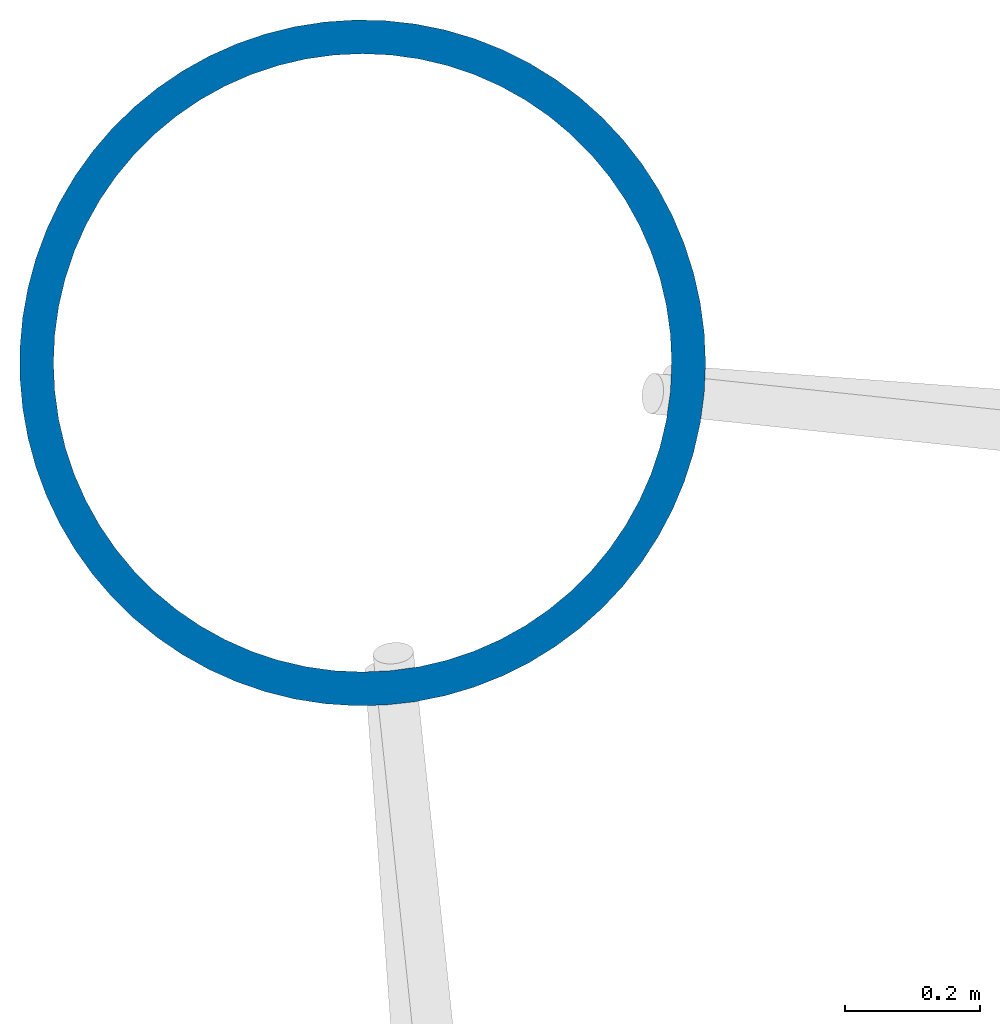
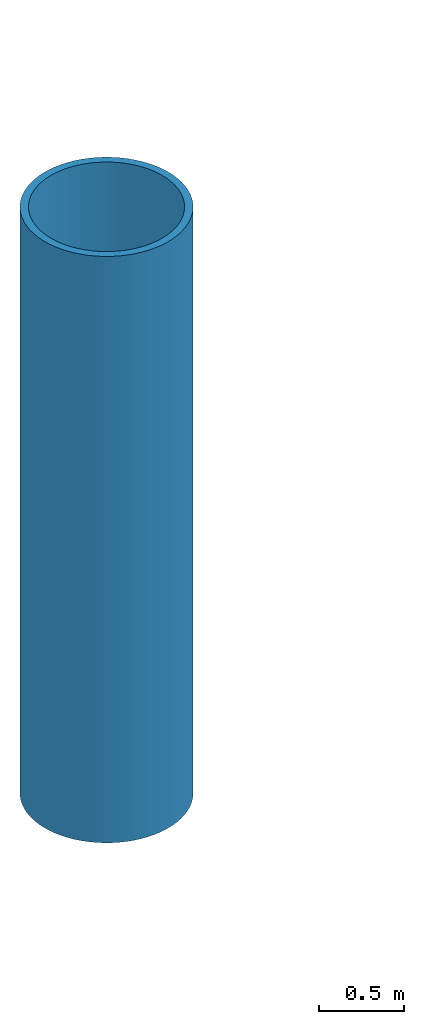
# One storey, part 5 of 18: 1 column.
"""IFC4 building model written with IfcOpenShell, lengths in metres."""

from ifc_helpers import new_model, si_unit, direction, frame, origin, origin_2d, place, context, subcontext, project, spatial, hollow_circle, extrude, material, material_profile, profile_set, type_object, element, save


model = new_model("IFC4")

# Units and contexts
model_context = context("Model", 3, precision=1e-05, world=origin(), true_north=direction((0.0, 1.0)))
body_context = subcontext(model_context, "Body", "Model", "MODEL_VIEW")
ifc_project = project(units=[si_unit("LENGTHUNIT", "METRE"), si_unit("AREAUNIT", "SQUARE_METRE"), si_unit("VOLUMEUNIT", "CUBIC_METRE"), si_unit("PLANEANGLEUNIT", "RADIAN"), si_unit("MASSUNIT", "GRAM", prefix="KILO")], contexts=[model_context])

# Site, building, storey
site_placement = place(None, origin())
site = spatial("IfcSite", under=ifc_project, at=site_placement, CompositionType="ELEMENT")
building_placement = place(site_placement, origin())
building = spatial("IfcBuilding", under=site, at=building_placement, Name="Cresset Court Congress Hotel", CompositionType="ELEMENT")
storey_placement = place(building_placement, frame((0.0, 0.0, 35.39990234375)))
storey = spatial("IfcBuildingStorey", under=building, at=storey_placement, Name="L08", CompositionType="ELEMENT", Elevation=35.39990234375)

# Column
ifc_material = material(Name="Structural steel Q355B", Category="steel")
ifc_material_profile = material_profile(ifc_material, hollow_circle(Radius=0.508056640625, WallThickness=0.050048828125, at=origin_2d()), Name="CHS1016x50")
ifc_profile_set = profile_set([ifc_material_profile], Name="Structural steel Q355B")
column_type = type_object("IfcColumnType", Name="Mast tube 1016x50", PredefinedType="COLUMN", material=ifc_profile_set)
column_placement = place(storey_placement, frame((55.800048828125, 120.60009765625, 0.0), z_axis=(0.0, 0.0, 1.0), x_axis=(1.0, 0.0, 0.0)))
element("IfcColumn", 1, at=column_placement, inside=storey, type_object=column_type, Name="Mast M4", PredefinedType="COLUMN", context=body_context, shape_type="SweptSolid", body=[
    extrude(hollow_circle(Radius=0.508056640625, WallThickness=0.050048828125, at=origin_2d()), origin(), (0.0, 0.0, 1.0), 4.2001953125),
])

save(model, "model.ifc")
